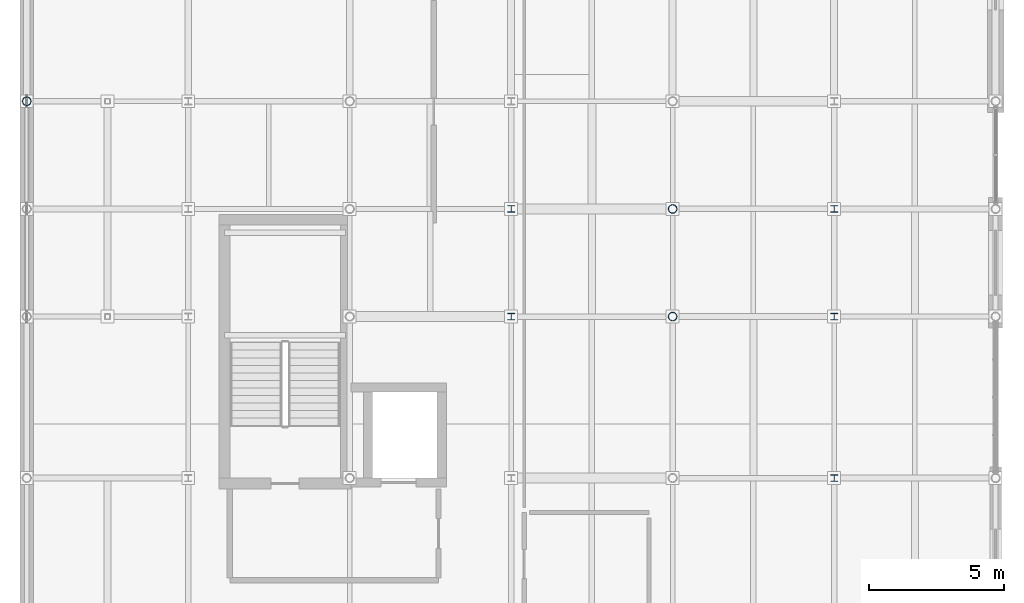
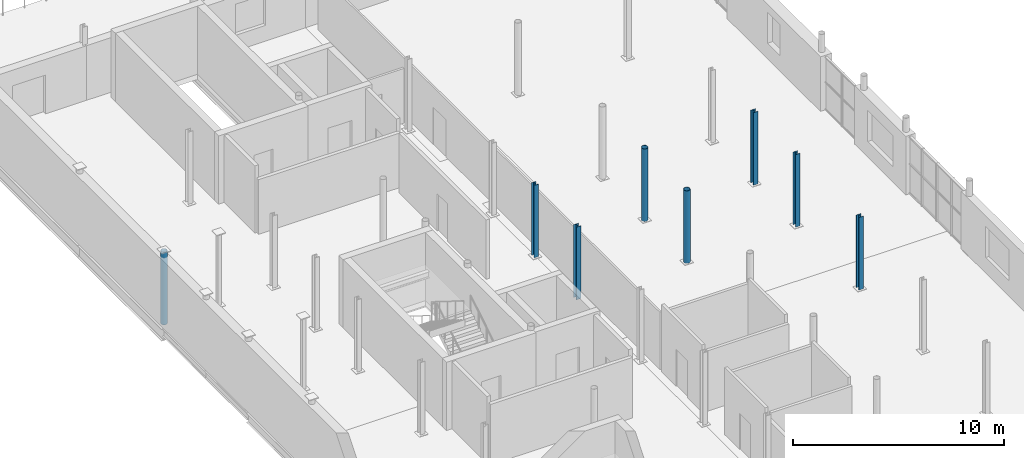
# One storey, part 6 of 30: 8 columns.
"""IFC4 building model written with IfcOpenShell, lengths in metres."""

from ifc_helpers import new_model, si_unit, direction, frame, origin, origin_2d, place, context, subcontext, project, spatial, hollow_circle, i_section, extrude, material, material_profile, profile_set, type_object, element, save


model = new_model("IFC4")

# Units and contexts
model_context = context("Model", 3, precision=1e-05, world=origin(), true_north=direction((0.0, 1.0)))
body_context = subcontext(model_context, "Body", "Model", "MODEL_VIEW")
ifc_project = project(units=[si_unit("LENGTHUNIT", "METRE"), si_unit("AREAUNIT", "SQUARE_METRE"), si_unit("VOLUMEUNIT", "CUBIC_METRE"), si_unit("PLANEANGLEUNIT", "RADIAN"), si_unit("MASSUNIT", "GRAM", prefix="KILO")], contexts=[model_context])

# Site, building, storey
site_placement = place(None, origin())
site = spatial("IfcSite", under=ifc_project, at=site_placement, CompositionType="ELEMENT")
building_placement = place(site_placement, origin())
building = spatial("IfcBuilding", under=site, at=building_placement, Name="Verrall Gate Interchange", CompositionType="ELEMENT")
storey_placement = place(building_placement, frame((0.0, 0.0, 19.39990234375)))
storey = spatial("IfcBuildingStorey", under=building, at=storey_placement, Name="L05", CompositionType="ELEMENT", Elevation=19.39990234375)

# Columns
ifc_material_1 = material(Name="Structural Steel CSA G40.21 350W", Category="steel")
ifc_material_profile_1 = material_profile(ifc_material_1, i_section(OverallWidth=0.25390625, OverallDepth=0.2529296875, WebThickness=0.008544921875, FlangeThickness=0.01416015625, FilletRadius=0.011962890625, at=origin_2d()), Name="W250x73")
ifc_profile_set_1 = profile_set([ifc_material_profile_1], Name="Structural Steel CSA G40.21 350W")
column_type_1 = type_object("IfcColumnType", Name="C-11 Column W250x73", PredefinedType="COLUMN", material=ifc_profile_set_1)
for number, where, z_axis, x_axis, name in (
    (1, (18.0, 40.0, 0.0), (0.0, 0.0, 1.0), (1.0, 0.0, 0.0), "L05 Column COL-L05-0430 (C-11)"),
    (2, (18.0, 44.0, 0.0), (0.0, 0.0, 1.0), (1.0, 0.0, 0.0), "L05 Column COL-L05-0439 (C-11)"),
    (3, (30.0, 34.0, 0.0), (0.0, 0.0, 1.0), (1.0, 0.0, 0.0), "L05 Column COL-L05-0655 (C-11)"),
    (4, (30.0, 40.0, 0.0), (0.0, 0.0, 1.0), (1.0, 0.0, 0.0), "L05 Column COL-L05-0664 (C-11)"),
    (5, (30.0, 44.0, 0.0), (0.0, 0.0, 1.0), (1.0, 0.0, 0.0), "L05 Column COL-L05-0673 (C-11)"),
):
    element("IfcColumn", number, at=place(storey_placement, frame(where, z_axis=z_axis, x_axis=x_axis)), inside=storey, type_object=column_type_1, Name=name, PredefinedType="COLUMN", context=body_context, shape_type="SweptSolid", body=[
        extrude(i_section(OverallWidth=0.25390625, OverallDepth=0.2529296875, WebThickness=0.008544921875, FlangeThickness=0.01416015625, FilletRadius=0.011962890625, at=origin_2d()), origin(), (0.0, 0.0, 1.0), 4.2001953125),
    ])
ifc_material_2 = material(Name="Structural Steel CSA G40.21 350WT Cat 4", Category="steel")
ifc_material_profile_2 = material_profile(ifc_material_2, hollow_circle(Radius=0.161865234375, WallThickness=0.0126953125, at=origin_2d()), Name="HSS324x13")
ifc_profile_set_2 = profile_set([ifc_material_profile_2], Name="Structural Steel CSA G40.21 350WT Cat 4")
column_type_2 = type_object("IfcColumnType", Name="C-15 Column HSS324x13", PredefinedType="COLUMN", material=ifc_profile_set_2)
for number, where, z_axis, x_axis, name in (
    (6, (0.0, 48.0, 0.0), (0.0, 0.0, 1.0), (1.0, 0.0, 0.0), "L05 Column COL-L05-0071 (C-15)"),
    (7, (24.0, 40.0, 0.0), (0.0, 0.0, 1.0), (1.0, 0.0, 0.0), "L05 Column COL-L05-0547 (C-15)"),
    (8, (24.0, 44.0, 0.0), (0.0, 0.0, 1.0), (1.0, 0.0, 0.0), "L05 Column COL-L05-0556 (C-15)"),
):
    element("IfcColumn", number, at=place(storey_placement, frame(where, z_axis=z_axis, x_axis=x_axis)), inside=storey, type_object=column_type_2, Name=name, PredefinedType="COLUMN", context=body_context, shape_type="SweptSolid", body=[
        extrude(hollow_circle(Radius=0.161865234375, WallThickness=0.0126953125, at=origin_2d()), origin(), (0.0, 0.0, 1.0), 4.2001953125),
    ])

save(model, "model.ifc")
